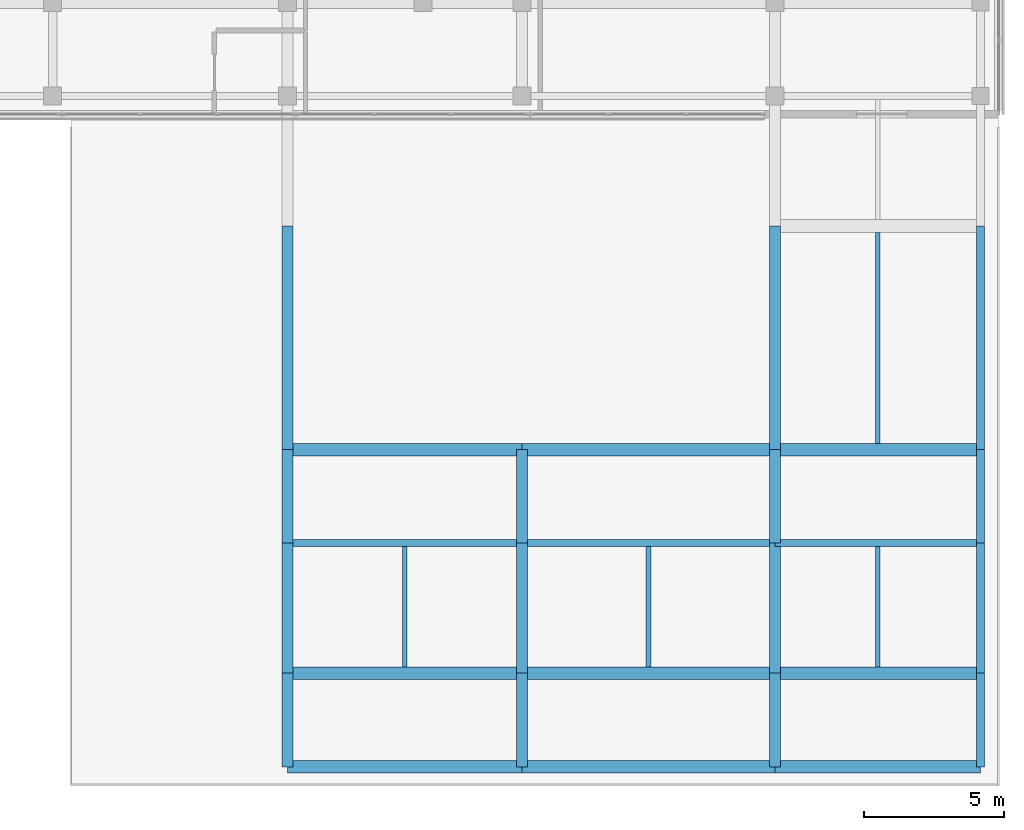
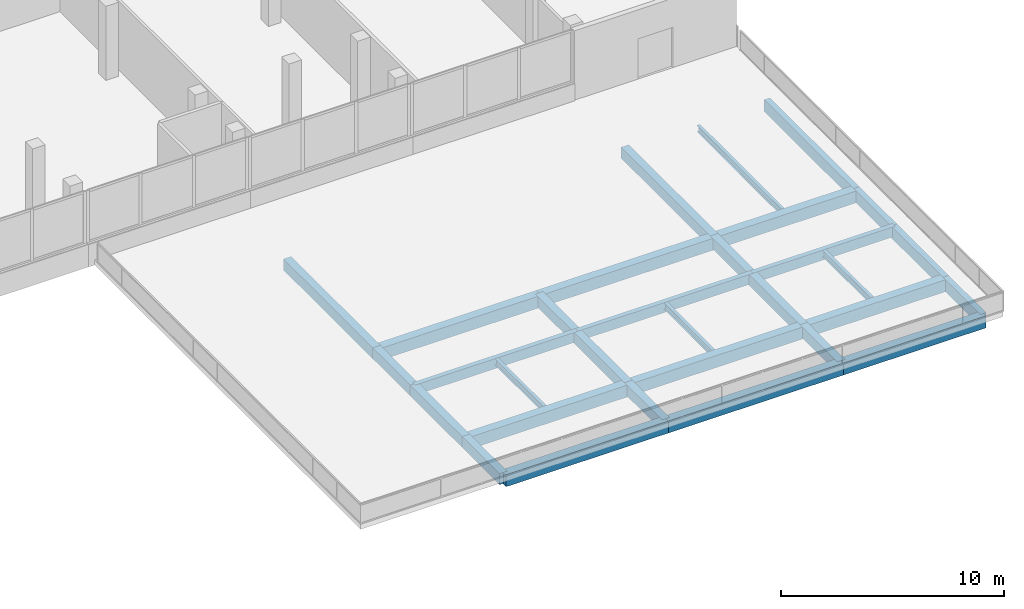
# One storey, part 45 of 76: 31 beams.
"""IFC4 building model written with IfcOpenShell, lengths in metres."""

from ifc_helpers import new_model, si_unit, direction, frame, origin, origin_2d, place, context, subcontext, project, spatial, rectangle, i_section, extrude, material, material_profile, profile_set, type_object, element, save


model = new_model("IFC4")

# Units and contexts
model_context = context("Model", 3, precision=1e-05, world=origin(), true_north=direction((0.0, 1.0)))
body_context = subcontext(model_context, "Body", "Model", "MODEL_VIEW")
ifc_project = project(units=[si_unit("LENGTHUNIT", "METRE"), si_unit("AREAUNIT", "SQUARE_METRE"), si_unit("VOLUMEUNIT", "CUBIC_METRE"), si_unit("PLANEANGLEUNIT", "RADIAN"), si_unit("MASSUNIT", "GRAM", prefix="KILO")], contexts=[model_context])

# Site, building, storey
site_placement = place(None, origin())
site = spatial("IfcSite", under=ifc_project, at=site_placement, CompositionType="ELEMENT")
building_placement = place(site_placement, origin())
building = spatial("IfcBuilding", under=site, at=building_placement, Name="Selatvlak General Hospital", CompositionType="ELEMENT")
storey_placement = place(building_placement, frame((0.0, 0.0, 27.300048828125)))
storey = spatial("IfcBuildingStorey", under=building, at=storey_placement, Name="L06", CompositionType="ELEMENT", Elevation=27.300048828125)

# Beams
ifc_material_1 = material(Name="Concrete C40/50", Category="concrete")
ifc_material_profile_1 = material_profile(ifc_material_1, rectangle(XDim=0.449951171875, YDim=0.64990234375, at=origin_2d()), Name="RC-BM 450x650")
ifc_profile_set_1 = profile_set([ifc_material_profile_1], Name="Concrete C40/50")
beam_type_1 = type_object("IfcBeamType", Name="BM-G04", PredefinedType="BEAM", material=ifc_profile_set_1)
beam_1_placement = place(storey_placement, frame((156.550048828125, 64.64990234375, -0.613037109375), z_axis=(1.0, 0.0, 0.0), x_axis=(0.0, 1.0, 0.0)))
element("IfcBeam", 1, at=beam_1_placement, inside=storey, type_object=beam_type_1, Name="Beam BMR-L06-2132", PredefinedType="BEAM", context=body_context, shape_type="SweptSolid", body=[
    extrude(rectangle(XDim=0.449951171875, YDim=0.64990234375, at=origin_2d()), origin(), (0.0, 0.0, 1.0), 8.39990234375),
])
beam_2_placement = place(storey_placement, frame((164.949951171875, 64.64990234375, -0.613037109375), z_axis=(1.0, 0.0, 0.0), x_axis=(0.0, 1.0, 0.0)))
element("IfcBeam", 2, at=beam_2_placement, inside=storey, type_object=beam_type_1, Name="Beam BMR-L06-2133", PredefinedType="BEAM", context=body_context, shape_type="SweptSolid", body=[
    extrude(rectangle(XDim=0.449951171875, YDim=0.64990234375, at=origin_2d()), origin(), (0.0, 0.0, 1.0), 9.050048828125),
])
beam_3_placement = place(storey_placement, frame((174.0, 64.64990234375, -0.613037109375), z_axis=(1.0, 0.0, 0.0), x_axis=(0.0, 1.0, 0.0)))
element("IfcBeam", 3, at=beam_3_placement, inside=storey, type_object=beam_type_1, Name="Beam BMR-L06-2134", PredefinedType="BEAM", context=body_context, shape_type="SweptSolid", body=[
    extrude(rectangle(XDim=0.449951171875, YDim=0.64990234375, at=origin_2d()), origin(), (0.0, 0.0, 1.0), 7.35009765625),
])
beam_4_placement = place(storey_placement, frame((156.550048828125, 68.0, -0.613037109375), z_axis=(1.0, 0.0, 0.0), x_axis=(0.0, 1.0, 0.0)))
element("IfcBeam", 4, at=beam_4_placement, inside=storey, type_object=beam_type_1, Name="Beam BMR-L06-2135", PredefinedType="BEAM", context=body_context, shape_type="SweptSolid", body=[
    extrude(rectangle(XDim=0.449951171875, YDim=0.64990234375, at=origin_2d()), origin(), (0.0, 0.0, 1.0), 8.39990234375),
])
beam_5_placement = place(storey_placement, frame((164.949951171875, 68.0, -0.613037109375), z_axis=(1.0, 0.0, 0.0), x_axis=(0.0, 1.0, 0.0)))
element("IfcBeam", 5, at=beam_5_placement, inside=storey, type_object=beam_type_1, Name="Beam BMR-L06-2136", PredefinedType="BEAM", context=body_context, shape_type="SweptSolid", body=[
    extrude(rectangle(XDim=0.449951171875, YDim=0.64990234375, at=origin_2d()), origin(), (0.0, 0.0, 1.0), 9.050048828125),
])
beam_6_placement = place(storey_placement, frame((174.0, 68.0, -0.613037109375), z_axis=(1.0, 0.0, 0.0), x_axis=(0.0, 1.0, 0.0)))
element("IfcBeam", 6, at=beam_6_placement, inside=storey, type_object=beam_type_1, Name="Beam BMR-L06-2137", PredefinedType="BEAM", context=body_context, shape_type="SweptSolid", body=[
    extrude(rectangle(XDim=0.449951171875, YDim=0.64990234375, at=origin_2d()), origin(), (0.0, 0.0, 1.0), 7.35009765625),
])
beam_7_placement = place(storey_placement, frame((156.550048828125, 76.0, -0.613037109375), z_axis=(1.0, 0.0, 0.0), x_axis=(0.0, 1.0, 0.0)))
element("IfcBeam", 7, at=beam_7_placement, inside=storey, type_object=beam_type_1, Name="Beam BMR-L06-2141", PredefinedType="BEAM", context=body_context, shape_type="SweptSolid", body=[
    extrude(rectangle(XDim=0.449951171875, YDim=0.64990234375, at=origin_2d()), origin(), (0.0, 0.0, 1.0), 8.39990234375),
])
beam_8_placement = place(storey_placement, frame((164.949951171875, 76.0, -0.613037109375), z_axis=(1.0, 0.0, 0.0), x_axis=(0.0, 1.0, 0.0)))
element("IfcBeam", 8, at=beam_8_placement, inside=storey, type_object=beam_type_1, Name="Beam BMR-L06-2142", PredefinedType="BEAM", context=body_context, shape_type="SweptSolid", body=[
    extrude(rectangle(XDim=0.449951171875, YDim=0.64990234375, at=origin_2d()), origin(), (0.0, 0.0, 1.0), 9.050048828125),
])
beam_9_placement = place(storey_placement, frame((174.0, 76.0, -0.613037109375), z_axis=(1.0, 0.0, 0.0), x_axis=(0.0, 1.0, 0.0)))
element("IfcBeam", 9, at=beam_9_placement, inside=storey, type_object=beam_type_1, Name="Beam BMR-L06-2143", PredefinedType="BEAM", context=body_context, shape_type="SweptSolid", body=[
    extrude(rectangle(XDim=0.449951171875, YDim=0.64990234375, at=origin_2d()), origin(), (0.0, 0.0, 1.0), 7.35009765625),
])
ifc_material_profile_2 = material_profile(ifc_material_1, rectangle(XDim=0.39990234375, YDim=0.60009765625, at=origin_2d()), Name="RC-BM 400x600")
ifc_profile_set_2 = profile_set([ifc_material_profile_2], Name="Concrete C40/50")
beam_type_2 = type_object("IfcBeamType", Name="BM-G05", PredefinedType="BEAM", material=ifc_profile_set_2)
beam_10_placement = place(storey_placement, frame((156.550048828125, 64.64990234375, -0.588134765625), z_axis=(0.0, 1.0, 0.0), x_axis=(-1.0, 0.0, 0.0)))
element("IfcBeam", 10, at=beam_10_placement, inside=storey, type_object=beam_type_2, Name="Beam BMR-L06-2317", PredefinedType="BEAM", context=body_context, shape_type="SweptSolid", body=[
    extrude(rectangle(XDim=0.39990234375, YDim=0.60009765625, at=origin_2d()), origin(), (0.0, 0.0, 1.0), 3.35009765625),
])
beam_11_placement = place(storey_placement, frame((156.550048828125, 68.0, -0.588134765625), z_axis=(0.0, 1.0, 0.0), x_axis=(-1.0, 0.0, 0.0)))
element("IfcBeam", 11, at=beam_11_placement, inside=storey, type_object=beam_type_2, Name="Beam BMR-L06-2318", PredefinedType="BEAM", context=body_context, shape_type="SweptSolid", body=[
    extrude(rectangle(XDim=0.39990234375, YDim=0.60009765625, at=origin_2d()), origin(), (0.0, 0.0, 1.0), 4.64990234375),
])
beam_12_placement = place(storey_placement, frame((156.550048828125, 72.64990234375, -0.588134765625), z_axis=(0.0, 1.0, 0.0), x_axis=(-1.0, 0.0, 0.0)))
element("IfcBeam", 12, at=beam_12_placement, inside=storey, type_object=beam_type_2, Name="Beam BMR-L06-2319", PredefinedType="BEAM", context=body_context, shape_type="SweptSolid", body=[
    extrude(rectangle(XDim=0.39990234375, YDim=0.60009765625, at=origin_2d()), origin(), (0.0, 0.0, 1.0), 3.35009765625),
])
beam_13_placement = place(storey_placement, frame((156.550048828125, 76.0, -0.588134765625), z_axis=(0.0, 1.0, 0.0), x_axis=(-1.0, 0.0, 0.0)))
element("IfcBeam", 13, at=beam_13_placement, inside=storey, type_object=beam_type_2, Name="Beam BMR-L06-2320", PredefinedType="BEAM", context=body_context, shape_type="SweptSolid", body=[
    extrude(rectangle(XDim=0.39990234375, YDim=0.60009765625, at=origin_2d()), origin(), (0.0, 0.0, 1.0), 8.0),
])
beam_14_placement = place(storey_placement, frame((164.949951171875, 64.64990234375, -0.588134765625), z_axis=(0.0, 1.0, 0.0), x_axis=(-1.0, 0.0, 0.0)))
element("IfcBeam", 14, at=beam_14_placement, inside=storey, type_object=beam_type_2, Name="Beam BMR-L06-2327", PredefinedType="BEAM", context=body_context, shape_type="SweptSolid", body=[
    extrude(rectangle(XDim=0.39990234375, YDim=0.60009765625, at=origin_2d()), origin(), (0.0, 0.0, 1.0), 3.35009765625),
])
beam_15_placement = place(storey_placement, frame((164.949951171875, 68.0, -0.588134765625), z_axis=(0.0, 1.0, 0.0), x_axis=(-1.0, 0.0, 0.0)))
element("IfcBeam", 15, at=beam_15_placement, inside=storey, type_object=beam_type_2, Name="Beam BMR-L06-2328", PredefinedType="BEAM", context=body_context, shape_type="SweptSolid", body=[
    extrude(rectangle(XDim=0.39990234375, YDim=0.60009765625, at=origin_2d()), origin(), (0.0, 0.0, 1.0), 4.64990234375),
])
for number, where, z_axis, x_axis, name in (
    (16, (164.949951171875, 72.64990234375, -0.588134765625), (0.0, 1.0, 0.0), (-1.0, 0.0, 0.0), "Beam BMR-L06-2329"),
    (17, (174.0, 64.64990234375, -0.588134765625), (0.0, 1.0, 0.0), (-1.0, 0.0, 0.0), "Beam BMR-L06-2334"),
):
    element("IfcBeam", number, at=place(storey_placement, frame(where, z_axis=z_axis, x_axis=x_axis)), inside=storey, type_object=beam_type_2, Name=name, PredefinedType="BEAM", context=body_context, shape_type="SweptSolid", body=[
        extrude(rectangle(XDim=0.39990234375, YDim=0.60009765625, at=origin_2d()), origin(), (0.0, 0.0, 1.0), 3.35009765625),
    ])
beam_16_placement = place(storey_placement, frame((174.0, 68.0, -0.588134765625), z_axis=(0.0, 1.0, 0.0), x_axis=(-1.0, 0.0, 0.0)))
element("IfcBeam", 18, at=beam_16_placement, inside=storey, type_object=beam_type_2, Name="Beam BMR-L06-2335", PredefinedType="BEAM", context=body_context, shape_type="SweptSolid", body=[
    extrude(rectangle(XDim=0.39990234375, YDim=0.60009765625, at=origin_2d()), origin(), (0.0, 0.0, 1.0), 4.64990234375),
])
beam_17_placement = place(storey_placement, frame((174.0, 72.64990234375, -0.588134765625), z_axis=(0.0, 1.0, 0.0), x_axis=(-1.0, 0.0, 0.0)))
element("IfcBeam", 19, at=beam_17_placement, inside=storey, type_object=beam_type_2, Name="Beam BMR-L06-2336", PredefinedType="BEAM", context=body_context, shape_type="SweptSolid", body=[
    extrude(rectangle(XDim=0.39990234375, YDim=0.60009765625, at=origin_2d()), origin(), (0.0, 0.0, 1.0), 3.35009765625),
])
beam_18_placement = place(storey_placement, frame((174.0, 76.0, -0.588134765625), z_axis=(0.0, 1.0, 0.0), x_axis=(-1.0, 0.0, 0.0)))
element("IfcBeam", 20, at=beam_18_placement, inside=storey, type_object=beam_type_2, Name="Beam BMR-L06-2337", PredefinedType="BEAM", context=body_context, shape_type="SweptSolid", body=[
    extrude(rectangle(XDim=0.39990234375, YDim=0.60009765625, at=origin_2d()), origin(), (0.0, 0.0, 1.0), 8.0),
])
ifc_material_2 = material(Name="Steel S355", Category="steel")
ifc_material_profile_3 = material_profile(ifc_material_2, i_section(OverallWidth=0.17138671875, OverallDepth=0.35498046875, WebThickness=0.00732421875, FlangeThickness=0.011474609375, at=origin_2d()), Name="UB 356x171x51")
ifc_profile_set_3 = profile_set([ifc_material_profile_3], Name="Steel S355")
beam_type_3 = type_object("IfcBeamType", Name="BM-J05", PredefinedType="JOIST", material=ifc_profile_set_3)
for number, where, z_axis, x_axis, name in (
    (21, (160.75, 68.22509765625, -0.465087890625), (0.0, 1.0, 0.0), (-1.0, 0.0, 0.0), "Beam BMR-L06-2354"),
    (22, (169.47509765625, 68.22509765625, -0.465087890625), (0.0, 1.0, 0.0), (-1.0, 0.0, 0.0), "Beam BMR-L06-2355"),
    (23, (177.675048828125, 68.22509765625, -0.465087890625), (0.0, 1.0, 0.0), (-1.0, 0.0, 0.0), "Beam BMR-L06-2356"),
):
    element("IfcBeam", number, at=place(storey_placement, frame(where, z_axis=z_axis, x_axis=x_axis)), inside=storey, type_object=beam_type_3, Name=name, PredefinedType="JOIST", context=body_context, shape_type="SweptSolid", body=[
        extrude(i_section(OverallWidth=0.17138671875, OverallDepth=0.35498046875, WebThickness=0.00732421875, FlangeThickness=0.011474609375, at=origin_2d()), origin(), (0.0, 0.0, 1.0), 4.2998046875),
    ])
beam_19_placement = place(storey_placement, frame((177.675048828125, 76.22509765625, -0.465087890625), z_axis=(0.0, 1.0, 0.0), x_axis=(-1.0, 0.0, 0.0)))
element("IfcBeam", 24, at=beam_19_placement, inside=storey, type_object=beam_type_3, Name="Beam BMR-L06-2357", PredefinedType="JOIST", context=body_context, shape_type="SweptSolid", body=[
    extrude(i_section(OverallWidth=0.17138671875, OverallDepth=0.35498046875, WebThickness=0.00732421875, FlangeThickness=0.011474609375, at=origin_2d()), origin(), (0.0, 0.0, 1.0), 7.5498046875),
])
ifc_material_profile_4 = material_profile(ifc_material_1, rectangle(XDim=0.300048828125, YDim=0.64990234375, at=origin_2d()), Name="RC-SP 300x650")
ifc_profile_set_4 = profile_set([ifc_material_profile_4], Name="Concrete C40/50")
beam_type_4 = type_object("IfcBeamType", Name="BM-SP1", PredefinedType="SPANDREL", material=ifc_profile_set_4)
beam_20_placement = place(storey_placement, frame((181.35009765625, 64.64990234375, -0.613037109375), z_axis=(0.0, 1.0, 0.0), x_axis=(-1.0, 0.0, 0.0)))
element("IfcBeam", 25, at=beam_20_placement, inside=storey, type_object=beam_type_4, Name="Beam BMR-L06-2344", PredefinedType="SPANDREL", context=body_context, shape_type="SweptSolid", body=[
    extrude(rectangle(XDim=0.300048828125, YDim=0.64990234375, at=origin_2d()), origin(), (0.0, 0.0, 1.0), 3.35009765625),
])
beam_21_placement = place(storey_placement, frame((181.35009765625, 68.0, -0.613037109375), z_axis=(0.0, 1.0, 0.0), x_axis=(-1.0, 0.0, 0.0)))
element("IfcBeam", 26, at=beam_21_placement, inside=storey, type_object=beam_type_4, Name="Beam BMR-L06-2345", PredefinedType="SPANDREL", context=body_context, shape_type="SweptSolid", body=[
    extrude(rectangle(XDim=0.300048828125, YDim=0.64990234375, at=origin_2d()), origin(), (0.0, 0.0, 1.0), 4.64990234375),
])
beam_22_placement = place(storey_placement, frame((181.35009765625, 72.64990234375, -0.613037109375), z_axis=(0.0, 1.0, 0.0), x_axis=(-1.0, 0.0, 0.0)))
element("IfcBeam", 27, at=beam_22_placement, inside=storey, type_object=beam_type_4, Name="Beam BMR-L06-2346", PredefinedType="SPANDREL", context=body_context, shape_type="SweptSolid", body=[
    extrude(rectangle(XDim=0.300048828125, YDim=0.64990234375, at=origin_2d()), origin(), (0.0, 0.0, 1.0), 3.35009765625),
])
beam_23_placement = place(storey_placement, frame((181.35009765625, 76.0, -0.613037109375), z_axis=(0.0, 1.0, 0.0), x_axis=(-1.0, 0.0, 0.0)))
element("IfcBeam", 28, at=beam_23_placement, inside=storey, type_object=beam_type_4, Name="Beam BMR-L06-2347", PredefinedType="SPANDREL", context=body_context, shape_type="SweptSolid", body=[
    extrude(rectangle(XDim=0.300048828125, YDim=0.64990234375, at=origin_2d()), origin(), (0.0, 0.0, 1.0), 8.0),
])
ifc_material_profile_5 = material_profile(ifc_material_1, rectangle(XDim=0.25, YDim=0.550048828125, at=origin_2d()), Name="RC-SP 250x550")
ifc_profile_set_5 = profile_set([ifc_material_profile_5], Name="Concrete C40/50")
beam_type_5 = type_object("IfcBeamType", Name="BM-SP2", PredefinedType="SPANDREL", material=ifc_profile_set_5)
beam_24_placement = place(storey_placement, frame((156.550048828125, 72.64990234375, -0.56298828125), z_axis=(1.0, 0.0, 0.0), x_axis=(0.0, 1.0, 0.0)))
element("IfcBeam", 29, at=beam_24_placement, inside=storey, type_object=beam_type_5, Name="Beam BMR-L06-2138", PredefinedType="SPANDREL", context=body_context, shape_type="SweptSolid", body=[
    extrude(rectangle(XDim=0.25, YDim=0.550048828125, at=origin_2d()), origin(), (0.0, 0.0, 1.0), 8.39990234375),
])
beam_25_placement = place(storey_placement, frame((164.949951171875, 72.64990234375, -0.56298828125), z_axis=(1.0, 0.0, 0.0), x_axis=(0.0, 1.0, 0.0)))
element("IfcBeam", 30, at=beam_25_placement, inside=storey, type_object=beam_type_5, Name="Beam BMR-L06-2139", PredefinedType="SPANDREL", context=body_context, shape_type="SweptSolid", body=[
    extrude(rectangle(XDim=0.25, YDim=0.550048828125, at=origin_2d()), origin(), (0.0, 0.0, 1.0), 9.050048828125),
])
beam_26_placement = place(storey_placement, frame((174.0, 72.64990234375, -0.56298828125), z_axis=(1.0, 0.0, 0.0), x_axis=(0.0, 1.0, 0.0)))
element("IfcBeam", 31, at=beam_26_placement, inside=storey, type_object=beam_type_5, Name="Beam BMR-L06-2140", PredefinedType="SPANDREL", context=body_context, shape_type="SweptSolid", body=[
    extrude(rectangle(XDim=0.25, YDim=0.550048828125, at=origin_2d()), origin(), (0.0, 0.0, 1.0), 7.35009765625),
])

save(model, "model.ifc")
